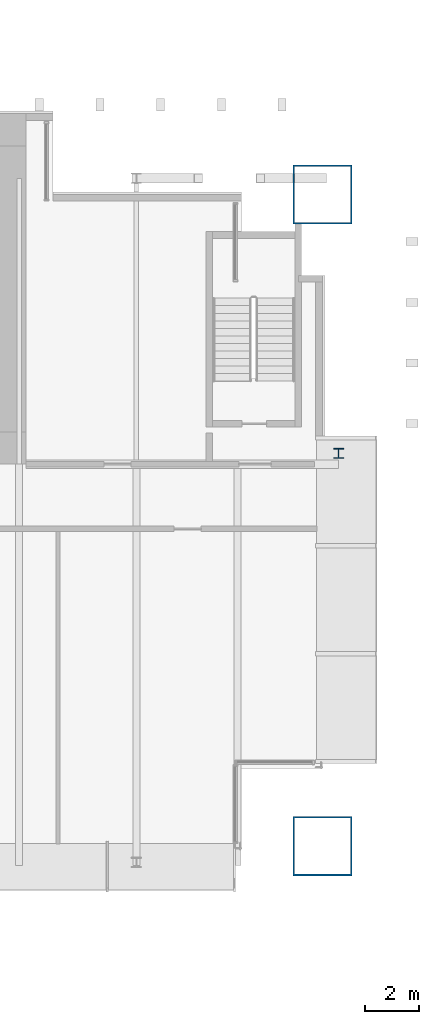
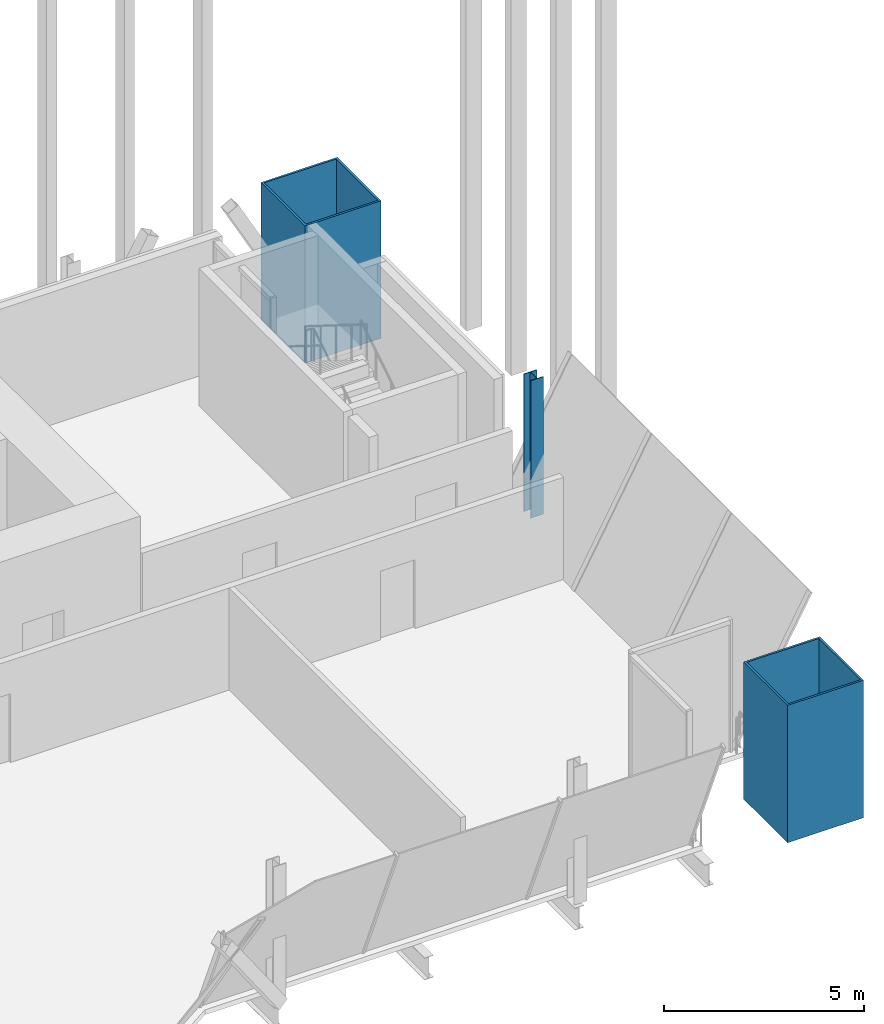
# One storey, part 4 of 28: 3 columns.
"""IFC4 building model written with IfcOpenShell, lengths in metres."""

from ifc_helpers import new_model, si_unit, direction, frame, origin, origin_2d, place, context, subcontext, project, spatial, hollow_rectangle, i_section, extrude, material, material_profile, profile_set, type_object, element, save


model = new_model("IFC4")

# Units and contexts
model_context = context("Model", 3, precision=1e-05, world=origin(), true_north=direction((0.0, 1.0)))
body_context = subcontext(model_context, "Body", "Model", "MODEL_VIEW")
ifc_project = project(units=[si_unit("LENGTHUNIT", "METRE"), si_unit("AREAUNIT", "SQUARE_METRE"), si_unit("VOLUMEUNIT", "CUBIC_METRE"), si_unit("PLANEANGLEUNIT", "RADIAN"), si_unit("MASSUNIT", "GRAM", prefix="KILO")], contexts=[model_context])

# Site, building, storey
site_placement = place(None, origin())
site = spatial("IfcSite", under=ifc_project, at=site_placement, CompositionType="ELEMENT")
building_placement = place(site_placement, origin())
building = spatial("IfcBuilding", under=site, at=building_placement, Name="Bicima Exchange Tower", CompositionType="ELEMENT")
storey_placement = place(building_placement, frame((0.0, 0.0, 241.39990234375)))
storey = spatial("IfcBuildingStorey", under=building, at=storey_placement, Name="L54", CompositionType="ELEMENT", Elevation=241.39990234375)

# Columns
ifc_material_1 = material(Name="Steel ASTM A572 Gr 50", Category="steel")
ifc_material_profile_1 = material_profile(ifc_material_1, hollow_rectangle(XDim=2.199951171875, YDim=2.199951171875, WallThickness=0.06005859375, at=origin_2d()))
ifc_profile_set_1 = profile_set([ifc_material_profile_1], Name="Steel ASTM A572 Gr 50")
column_type_1 = type_object("IfcColumnType", Name="Mega column BOX 2200x2200x60", PredefinedType="COLUMN", material=ifc_profile_set_1)
for number, where, z_axis, x_axis, name in (
    (1, (33.0, -27.166015625, 0.0), (0.0, 0.0, 1.0), (1.0, 0.0, 0.0), "Mega column mega+33.0f"),
    (2, (33.0, -3.0, 0.0), (0.0, 0.0, 1.0), (1.0, 0.0, 0.0), "Mega column mega+33.0r"),
):
    element("IfcColumn", number, at=place(storey_placement, frame(where, z_axis=z_axis, x_axis=x_axis)), inside=storey, type_object=column_type_1, Name=name, PredefinedType="COLUMN", context=body_context, shape_type="SweptSolid", body=[
        extrude(hollow_rectangle(XDim=2.199951171875, YDim=2.199951171875, WallThickness=0.06005859375, at=origin_2d()), origin(), (0.0, 0.0, 1.0), 4.2001953125),
    ])
ifc_material_2 = material(Name="Steel ASTM A992 Gr 50", Category="steel")
ifc_material_profile_2 = material_profile(ifc_material_2, i_section(OverallWidth=0.370849609375, OverallDepth=0.36328125, WebThickness=0.013427734375, FlangeThickness=0.021728515625, at=origin_2d()))
ifc_profile_set_2 = profile_set([ifc_material_profile_2], Name="Steel ASTM A992 Gr 50")
column_type_2 = type_object("IfcColumnType", Name="Perimeter column W14x109", PredefinedType="COLUMN", material=ifc_profile_set_2)
column_placement = place(storey_placement, frame((33.60009765625, -12.60009765625, 0.0), z_axis=(0.0, 0.0, 1.0), x_axis=(1.0, 0.0, 0.0)))
element("IfcColumn", 3, at=column_placement, inside=storey, type_object=column_type_2, Name="End column end+33.6e", PredefinedType="COLUMN", context=body_context, shape_type="SweptSolid", body=[
    extrude(i_section(OverallWidth=0.370849609375, OverallDepth=0.36328125, WebThickness=0.013427734375, FlangeThickness=0.021728515625, at=origin_2d()), origin(), (0.0, 0.0, 1.0), 4.2001953125),
])

save(model, "model.ifc")
